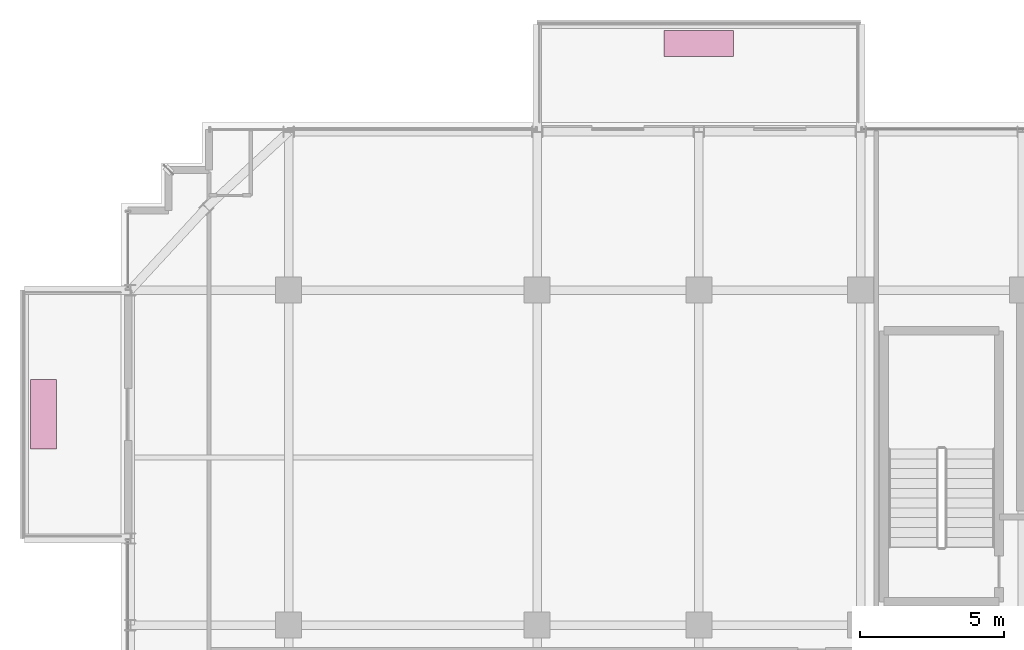
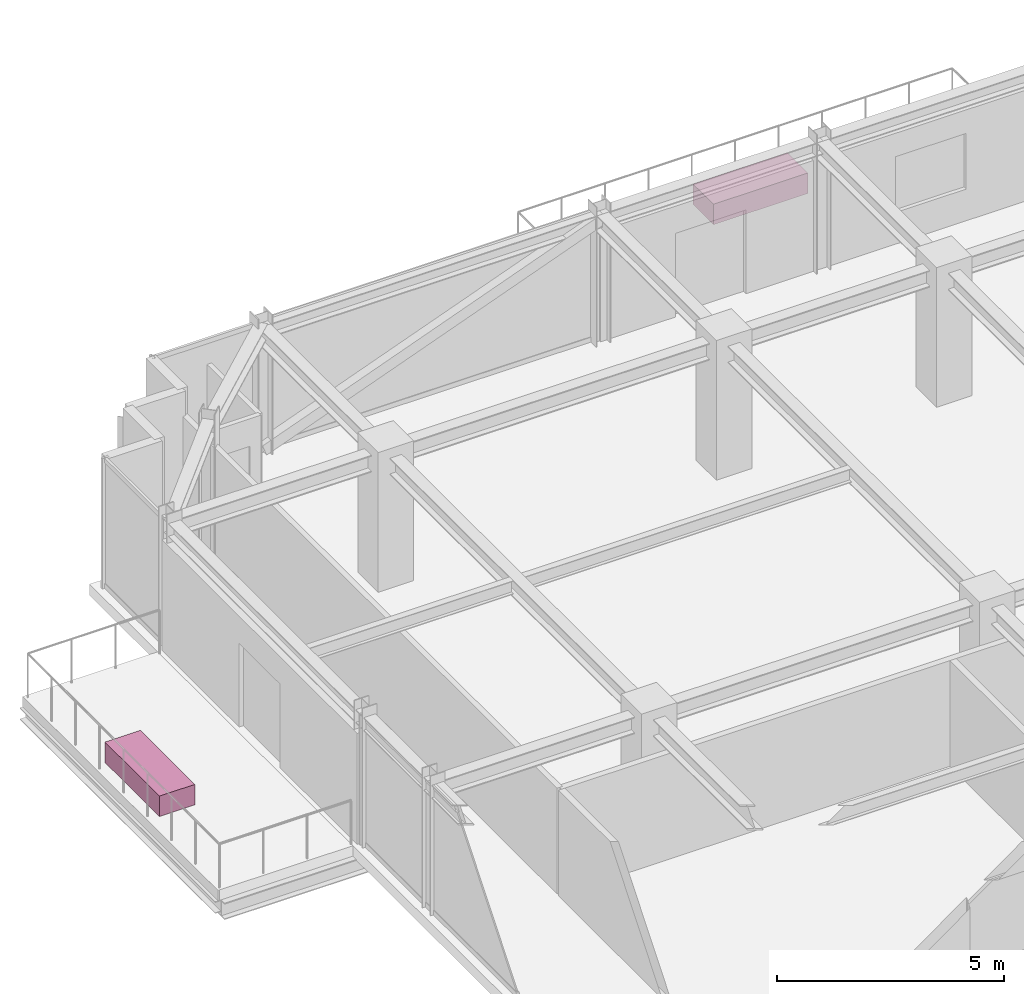
# One storey, part 36 of 36: 2 furnishings.
"""IFC4 building model written with IfcOpenShell, lengths in metres."""

import ifcopenshell
import ifcopenshell.guid

model = None  # the IFC model being written
_history = None  # IfcOwnerHistory: only IFC2X3 demands one
_inside = {}  # id of a spatial element -> (the spatial element, [elements in it])
_under = {}  # id of a project, library or spatial element -> (it, [spatial elements below it])
_declared = {}  # id of a project -> (the project, [libraries it declares])
_typed = {}  # id of a type object -> (the type object, [elements of that type])
_made_of = {}  # id of a material, layer set ... -> (it, [elements and type objects made of it])


def new_model(schema):
    """Start an empty IFC model of exactly this schema.

    Asked for "IFC4X3", IfcOpenShell would pick the latest addendum, in which some entities
    have other attributes; the version numbers below select the first issue.
    IFC2X3 requires an IfcOwnerHistory on every rooted entity: one is made here for all.
    """
    global model, _history
    if schema == "IFC4X3":
        model = ifcopenshell.file(schema_version=(4, 3, 0, 0))
    else:
        model = ifcopenshell.file(schema=schema)
    _inside.clear()
    _under.clear()
    _declared.clear()
    _typed.clear()
    _made_of.clear()
    _history = None
    if model.schema == "IFC2X3":
        org = make("IfcOrganization", Name="unknown")
        user = make(
            "IfcPersonAndOrganization",
            ThePerson=make("IfcPerson", FamilyName="unknown"),
            TheOrganization=org,
        )
        app = make(
            "IfcApplication",
            ApplicationDeveloper=org,
            Version="unknown",
            ApplicationFullName="unknown",
            ApplicationIdentifier="unknown",
        )
        _history = make(
            "IfcOwnerHistory",
            OwningUser=user,
            OwningApplication=app,
            ChangeAction="ADDED",
            CreationDate=0,
        )
    return model


def make(cls, **values):
    """One entity of the class cls with the attributes given. An attribute that is None is left unset."""
    return model.create_entity(
        cls, **{name: value for name, value in values.items() if value is not None}
    )


def rooted(cls, **values):
    """An entity with a GlobalId (a new one), such as an element, a storey or a relation."""
    return make(cls, GlobalId=ifcopenshell.guid.new(), OwnerHistory=_history, **values)


def si_unit(unit_type, name, prefix=None):
    """IfcSIUnit, for example si_unit("LENGTHUNIT", "METRE", prefix="MILLI")."""
    return make("IfcSIUnit", UnitType=unit_type, Prefix=prefix, Name=name)


def assignment(units):
    """IfcUnitAssignment: the units of a project."""
    return None if units is None else make("IfcUnitAssignment", Units=units)


def point(xyz):
    """IfcCartesianPoint."""
    return None if xyz is None else make("IfcCartesianPoint", Coordinates=xyz)


def direction(xyz):
    """IfcDirection."""
    return None if xyz is None else make("IfcDirection", DirectionRatios=xyz)


def frame(location, z_axis=None, x_axis=None):
    """IfcAxis2Placement3D, a coordinate frame: its origin and axes. An axis left out is left unset."""
    return make(
        "IfcAxis2Placement3D",
        Location=point(location),
        Axis=direction(z_axis),
        RefDirection=direction(x_axis),
    )


def frame_2d(location, x_axis=None):
    """IfcAxis2Placement2D, a coordinate frame in the plane: its origin and x axis."""
    return make(
        "IfcAxis2Placement2D", Location=point(location), RefDirection=direction(x_axis)
    )


def origin():
    """The frame at (0, 0, 0) with its axes left unset."""
    return frame((0.0, 0.0, 0.0))


def origin_2d():
    """The frame at (0, 0) in the plane with its x axis left unset."""
    return frame_2d((0.0, 0.0))


def place(relative_to, where):
    """IfcLocalPlacement: puts the frame where relative to a parent placement (None: the world)."""
    return make(
        "IfcLocalPlacement", PlacementRelTo=relative_to, RelativePlacement=where
    )


def context(
    kind, dimensions, precision=None, world=None, true_north=None, identifier=None
):
    """IfcGeometricRepresentationContext, for example the 3D "Model" context."""
    return make(
        "IfcGeometricRepresentationContext",
        ContextIdentifier=identifier,
        ContextType=kind,
        CoordinateSpaceDimension=dimensions,
        Precision=precision,
        WorldCoordinateSystem=world,
        TrueNorth=true_north,
    )


def subcontext(parent, identifier, kind, view, scale=None):
    """IfcGeometricRepresentationSubContext, for example "Body" below "Model"."""
    return make(
        "IfcGeometricRepresentationSubContext",
        ContextIdentifier=identifier,
        ContextType=kind,
        ParentContext=parent,
        TargetScale=scale,
        TargetView=view,
    )


def project(units=None, contexts=None):
    """IfcProject with its units and contexts."""
    return rooted(
        "IfcProject",
        Name="project",
        RepresentationContexts=contexts,
        UnitsInContext=assignment(units),
    )


def spatial(cls, under=None, at=None, **own):
    """A site, building, storey or space (cls), placed at a placement, below another one or the project."""
    s = rooted(cls, ObjectPlacement=at, **own)
    if under is not None:
        _under.setdefault(under.id(), (under, []))[1].append(s)
    return s


def profile(cls, at=None, kind="AREA", **sizes):
    """A parametric profile (cls). Its sizes go by their IFC names, for example OverallWidth=200.0."""
    return make(cls, ProfileType=kind, Position=at, **sizes)


def rectangle(**sizes):
    """IfcRectangleProfileDef."""
    return profile("IfcRectangleProfileDef", **sizes)


def extrude(swept, where, along, depth):
    """IfcExtrudedAreaSolid: the profile swept, set in the frame where, extruded along a direction by depth."""
    return make(
        "IfcExtrudedAreaSolid",
        SweptArea=swept,
        Position=where,
        ExtrudedDirection=direction(along),
        Depth=depth,
    )


def shape(context_of_items, identifier, shape_type, items):
    """IfcShapeRepresentation: the items that make up one representation, for example the "Body"."""
    return make(
        "IfcShapeRepresentation",
        ContextOfItems=context_of_items,
        RepresentationIdentifier=identifier,
        RepresentationType=shape_type,
        Items=items,
    )


def source(mapping_origin, context_of_items, identifier, shape_type, items):
    """IfcRepresentationMap: a shape defined once, which mapped items show again and again."""
    return make(
        "IfcRepresentationMap",
        MappingOrigin=mapping_origin,
        MappedRepresentation=shape(context_of_items, identifier, shape_type, items),
    )


def transform(
    local_origin,
    x_axis=None,
    y_axis=None,
    z_axis=None,
    scale=None,
    scale2=None,
    scale3=None,
    uniform=True,
):
    """IfcCartesianTransformationOperator3D, or its non-uniform kind. x_axis, y_axis, z_axis: its Axis1, 2, 3."""
    if uniform:
        return make(
            "IfcCartesianTransformationOperator3D",
            Axis1=direction(x_axis),
            Axis2=direction(y_axis),
            LocalOrigin=point(local_origin),
            Scale=scale,
            Axis3=direction(z_axis),
        )
    return make(
        "IfcCartesianTransformationOperator3DnonUniform",
        Axis1=direction(x_axis),
        Axis2=direction(y_axis),
        LocalOrigin=point(local_origin),
        Scale=scale,
        Axis3=direction(z_axis),
        Scale2=scale2,
        Scale3=scale3,
    )


def mapped(mapping_source, mapping_target):
    """IfcMappedItem: shows the shape of a source again, moved by a transform."""
    return make(
        "IfcMappedItem", MappingSource=mapping_source, MappingTarget=mapping_target
    )


def material(Name=None, Category=None):
    """IfcMaterial."""
    return make("IfcMaterial", Name=Name, Category=Category)


def made_of(thing, what):
    """Note that an element or type object is made of a material, layer set ...; save() writes the relation."""
    if what is not None:
        _made_of.setdefault(what.id(), (what, []))[1].append(thing)
    return thing


def type_object(cls, material=None, **own):
    """A type object (cls), such as IfcWallType, which elements share."""
    return made_of(rooted(cls, **own), material)


def element(
    cls,
    number,
    at=None,
    inside=None,
    cuts=None,
    type_object=None,
    material=None,
    context=None,
    identifier="Body",
    shape_type=None,
    held_by="IfcProductDefinitionShape",
    body=None,
    shapes=None,
    **own,
):
    """One element of the class cls, such as IfcWall. Its Tag is "e" and its number.

    at: its placement. inside: the storey or other place that contains it. cuts: it is an
    opening in that element (IfcRelVoidsElement). A single representation is given by context,
    identifier, shape_type and body (its items); several are given by shapes. held_by: the class
    of the entity that holds the representations. save() writes the other relations.
    """
    e = rooted(cls, Tag="e%d" % number, ObjectPlacement=at, **own)
    if body is not None:
        shapes = [shape(context, identifier, shape_type, body)]
    if shapes is not None:
        e.Representation = make(held_by, Representations=shapes)
    if inside is not None:
        _inside.setdefault(inside.id(), (inside, []))[1].append(e)
    if cuts is not None:
        rooted(
            "IfcRelVoidsElement", RelatingBuildingElement=cuts, RelatedOpeningElement=e
        )
    if type_object is not None:
        _typed.setdefault(type_object.id(), (type_object, []))[1].append(e)
    return made_of(e, material)


def aggregate(whole, parts):
    """IfcRelAggregates: a whole, such as a stair, and the parts it consists of."""
    return rooted("IfcRelAggregates", RelatingObject=whole, RelatedObjects=parts)


def save(model, path):
    """Write the relations noted so far, then the file.

    IfcRelAggregates (storeys below a building ...), IfcRelContainedInSpatialStructure (elements
    in a storey), IfcRelDefinesByType, IfcRelAssociatesMaterial and IfcRelDeclares: one each for
    every whole, place, type object, material and project.
    """
    for whole, parts in _under.values():
        aggregate(whole, parts)
    for where, things in _inside.values():
        rooted(
            "IfcRelContainedInSpatialStructure",
            RelatedElements=things,
            RelatingStructure=where,
        )
    for kind, things in _typed.values():
        rooted("IfcRelDefinesByType", RelatedObjects=things, RelatingType=kind)
    for what, things in _made_of.values():
        rooted("IfcRelAssociatesMaterial", RelatedObjects=things, RelatingMaterial=what)
    for by, libraries in _declared.values():
        rooted("IfcRelDeclares", RelatingContext=by, RelatedDefinitions=libraries)
    model.write(path)


model = new_model("IFC4")

# Units and contexts
model_context = context("Model", 3, precision=1e-05, world=origin(), true_north=direction((0.0, 1.0)))
body_context = subcontext(model_context, "Body", "Model", "MODEL_VIEW")
ifc_project = project(units=[si_unit("LENGTHUNIT", "METRE"), si_unit("AREAUNIT", "SQUARE_METRE"), si_unit("VOLUMEUNIT", "CUBIC_METRE"), si_unit("PLANEANGLEUNIT", "RADIAN"), si_unit("MASSUNIT", "GRAM", prefix="KILO")], contexts=[model_context])

# Site, building, storey
site_placement = place(None, origin())
site = spatial("IfcSite", under=ifc_project, at=site_placement, CompositionType="ELEMENT")
building_placement = place(site_placement, origin())
building = spatial("IfcBuilding", under=site, at=building_placement, Name="Nahalor Promenade Grand Hotel", CompositionType="ELEMENT")
storey_placement = place(building_placement, frame((0.0, 0.0, 319.550048828125)))
storey = spatial("IfcBuildingStorey", under=building, at=storey_placement, Name="L82", CompositionType="ELEMENT", Elevation=319.550048828125)

# Furnishings
ifc_material = material(Name="Vegetated Volcanic-Lapilli Tree Planter", Category="earth")
furnishing_element_type = type_object("IfcFurnishingElementType", Name="Planter-VerticalForest-Box", material=ifc_material)
shared_shape = source(origin(), body_context, "Body", "SweptSolid", [
    extrude(rectangle(XDim=2.39990234375, YDim=0.89990234375, at=origin_2d()), origin(), (0.0, 0.0, 1.0), 0.550048828125),
])
for number, where, z_axis, x_axis, name in (
    (1, (-2.800048828125, 25.530029296875, 0.0), (0.0, 0.0, 1.0), (1.0, 0.0, 0.0), "L82 Balcony Structural Tree Planter 1"),
    (2, (-25.47998046875, 12.699951171875, 0.0), (0.0, 0.0, 1.0), (0.0, 1.0, 0.0), "L82 Balcony Structural Tree Planter 2"),
):
    element("IfcFurnishingElement", number, at=place(storey_placement, frame(where, z_axis=z_axis, x_axis=x_axis)), inside=storey, type_object=furnishing_element_type, Name=name, ObjectType="PLANTER", context=body_context, shape_type="MappedRepresentation", body=[
        mapped(shared_shape, transform((0.0, 0.0, 0.0), scale=1.0)),
    ])

save(model, "model.ifc")
